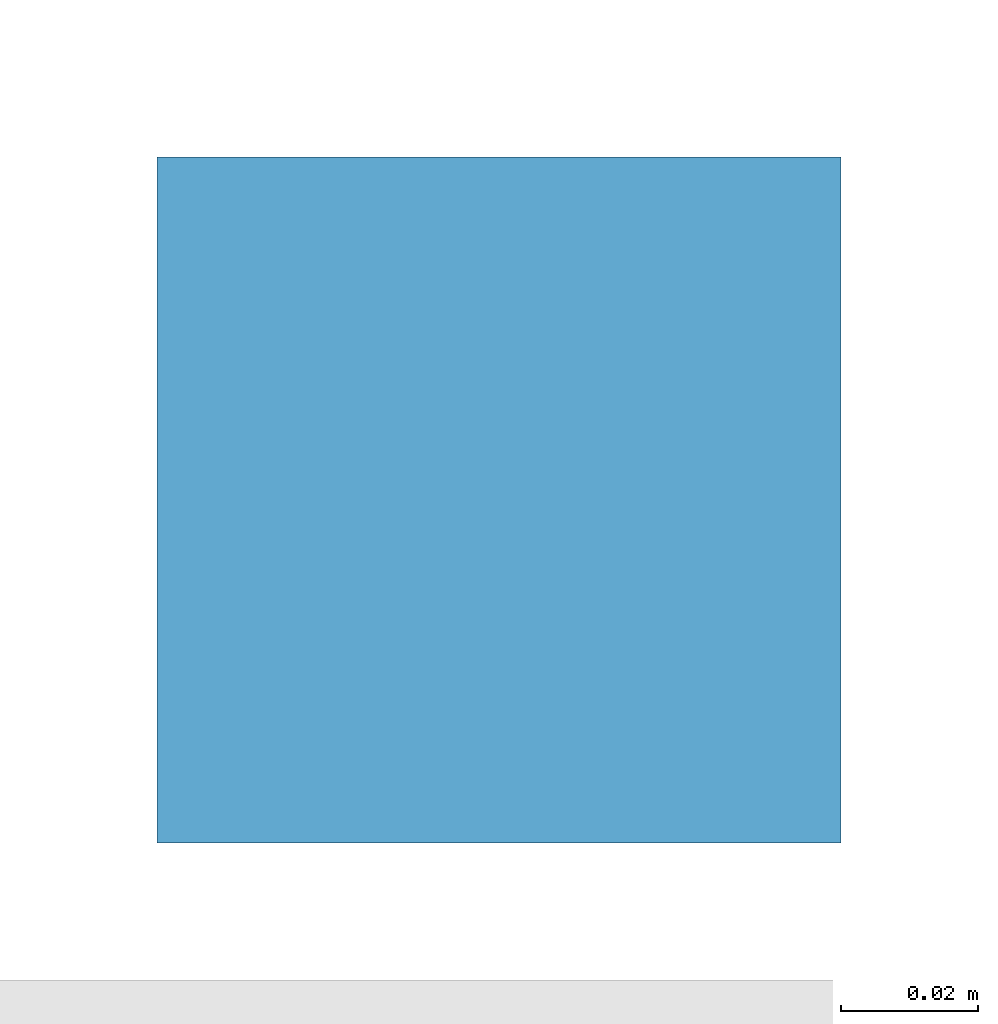
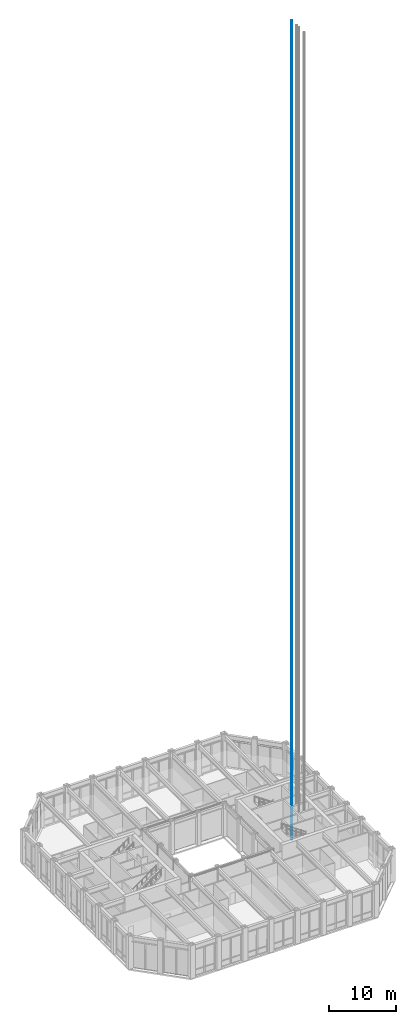
# One storey, part 19 of 22: 1 discrete accessory.
"""IFC4 building model written with IfcOpenShell, lengths in metres."""

import ifcopenshell
import ifcopenshell.guid

model = None  # the IFC model being written
_history = None  # IfcOwnerHistory: only IFC2X3 demands one
_inside = {}  # id of a spatial element -> (the spatial element, [elements in it])
_under = {}  # id of a project, library or spatial element -> (it, [spatial elements below it])
_declared = {}  # id of a project -> (the project, [libraries it declares])
_typed = {}  # id of a type object -> (the type object, [elements of that type])
_made_of = {}  # id of a material, layer set ... -> (it, [elements and type objects made of it])


def new_model(schema):
    """Start an empty IFC model of exactly this schema.

    Asked for "IFC4X3", IfcOpenShell would pick the latest addendum, in which some entities
    have other attributes; the version numbers below select the first issue.
    IFC2X3 requires an IfcOwnerHistory on every rooted entity: one is made here for all.
    """
    global model, _history
    if schema == "IFC4X3":
        model = ifcopenshell.file(schema_version=(4, 3, 0, 0))
    else:
        model = ifcopenshell.file(schema=schema)
    _inside.clear()
    _under.clear()
    _declared.clear()
    _typed.clear()
    _made_of.clear()
    _history = None
    if model.schema == "IFC2X3":
        org = make("IfcOrganization", Name="unknown")
        user = make(
            "IfcPersonAndOrganization",
            ThePerson=make("IfcPerson", FamilyName="unknown"),
            TheOrganization=org,
        )
        app = make(
            "IfcApplication",
            ApplicationDeveloper=org,
            Version="unknown",
            ApplicationFullName="unknown",
            ApplicationIdentifier="unknown",
        )
        _history = make(
            "IfcOwnerHistory",
            OwningUser=user,
            OwningApplication=app,
            ChangeAction="ADDED",
            CreationDate=0,
        )
    return model


def make(cls, **values):
    """One entity of the class cls with the attributes given. An attribute that is None is left unset."""
    return model.create_entity(
        cls, **{name: value for name, value in values.items() if value is not None}
    )


def rooted(cls, **values):
    """An entity with a GlobalId (a new one), such as an element, a storey or a relation."""
    return make(cls, GlobalId=ifcopenshell.guid.new(), OwnerHistory=_history, **values)


def si_unit(unit_type, name, prefix=None):
    """IfcSIUnit, for example si_unit("LENGTHUNIT", "METRE", prefix="MILLI")."""
    return make("IfcSIUnit", UnitType=unit_type, Prefix=prefix, Name=name)


def assignment(units):
    """IfcUnitAssignment: the units of a project."""
    return None if units is None else make("IfcUnitAssignment", Units=units)


def point(xyz):
    """IfcCartesianPoint."""
    return None if xyz is None else make("IfcCartesianPoint", Coordinates=xyz)


def direction(xyz):
    """IfcDirection."""
    return None if xyz is None else make("IfcDirection", DirectionRatios=xyz)


def frame(location, z_axis=None, x_axis=None):
    """IfcAxis2Placement3D, a coordinate frame: its origin and axes. An axis left out is left unset."""
    return make(
        "IfcAxis2Placement3D",
        Location=point(location),
        Axis=direction(z_axis),
        RefDirection=direction(x_axis),
    )


def origin():
    """The frame at (0, 0, 0) with its axes left unset."""
    return frame((0.0, 0.0, 0.0))


def place(relative_to, where):
    """IfcLocalPlacement: puts the frame where relative to a parent placement (None: the world)."""
    return make(
        "IfcLocalPlacement", PlacementRelTo=relative_to, RelativePlacement=where
    )


def context(
    kind, dimensions, precision=None, world=None, true_north=None, identifier=None
):
    """IfcGeometricRepresentationContext, for example the 3D "Model" context."""
    return make(
        "IfcGeometricRepresentationContext",
        ContextIdentifier=identifier,
        ContextType=kind,
        CoordinateSpaceDimension=dimensions,
        Precision=precision,
        WorldCoordinateSystem=world,
        TrueNorth=true_north,
    )


def subcontext(parent, identifier, kind, view, scale=None):
    """IfcGeometricRepresentationSubContext, for example "Body" below "Model"."""
    return make(
        "IfcGeometricRepresentationSubContext",
        ContextIdentifier=identifier,
        ContextType=kind,
        ParentContext=parent,
        TargetScale=scale,
        TargetView=view,
    )


def project(units=None, contexts=None):
    """IfcProject with its units and contexts."""
    return rooted(
        "IfcProject",
        Name="project",
        RepresentationContexts=contexts,
        UnitsInContext=assignment(units),
    )


def spatial(cls, under=None, at=None, **own):
    """A site, building, storey or space (cls), placed at a placement, below another one or the project."""
    s = rooted(cls, ObjectPlacement=at, **own)
    if under is not None:
        _under.setdefault(under.id(), (under, []))[1].append(s)
    return s


def polyline(points):
    """IfcPolyline through the points."""
    return make("IfcPolyline", Points=[point(p) for p in points])


def outline(outer, holes=None, kind="AREA"):
    """IfcArbitraryClosedProfileDef: a profile drawn as a closed curve; with holes, ...WithVoids."""
    if holes is None:
        return make("IfcArbitraryClosedProfileDef", ProfileType=kind, OuterCurve=outer)
    return make(
        "IfcArbitraryProfileDefWithVoids",
        ProfileType=kind,
        OuterCurve=outer,
        InnerCurves=holes,
    )


def extrude(swept, where, along, depth):
    """IfcExtrudedAreaSolid: the profile swept, set in the frame where, extruded along a direction by depth."""
    return make(
        "IfcExtrudedAreaSolid",
        SweptArea=swept,
        Position=where,
        ExtrudedDirection=direction(along),
        Depth=depth,
    )


def shape(context_of_items, identifier, shape_type, items):
    """IfcShapeRepresentation: the items that make up one representation, for example the "Body"."""
    return make(
        "IfcShapeRepresentation",
        ContextOfItems=context_of_items,
        RepresentationIdentifier=identifier,
        RepresentationType=shape_type,
        Items=items,
    )


def made_of(thing, what):
    """Note that an element or type object is made of a material, layer set ...; save() writes the relation."""
    if what is not None:
        _made_of.setdefault(what.id(), (what, []))[1].append(thing)
    return thing


def element(
    cls,
    number,
    at=None,
    inside=None,
    cuts=None,
    type_object=None,
    material=None,
    context=None,
    identifier="Body",
    shape_type=None,
    held_by="IfcProductDefinitionShape",
    body=None,
    shapes=None,
    **own,
):
    """One element of the class cls, such as IfcWall. Its Tag is "e" and its number.

    at: its placement. inside: the storey or other place that contains it. cuts: it is an
    opening in that element (IfcRelVoidsElement). A single representation is given by context,
    identifier, shape_type and body (its items); several are given by shapes. held_by: the class
    of the entity that holds the representations. save() writes the other relations.
    """
    e = rooted(cls, Tag="e%d" % number, ObjectPlacement=at, **own)
    if body is not None:
        shapes = [shape(context, identifier, shape_type, body)]
    if shapes is not None:
        e.Representation = make(held_by, Representations=shapes)
    if inside is not None:
        _inside.setdefault(inside.id(), (inside, []))[1].append(e)
    if cuts is not None:
        rooted(
            "IfcRelVoidsElement", RelatingBuildingElement=cuts, RelatedOpeningElement=e
        )
    if type_object is not None:
        _typed.setdefault(type_object.id(), (type_object, []))[1].append(e)
    return made_of(e, material)


def aggregate(whole, parts):
    """IfcRelAggregates: a whole, such as a stair, and the parts it consists of."""
    return rooted("IfcRelAggregates", RelatingObject=whole, RelatedObjects=parts)


def save(model, path):
    """Write the relations noted so far, then the file.

    IfcRelAggregates (storeys below a building ...), IfcRelContainedInSpatialStructure (elements
    in a storey), IfcRelDefinesByType, IfcRelAssociatesMaterial and IfcRelDeclares: one each for
    every whole, place, type object, material and project.
    """
    for whole, parts in _under.values():
        aggregate(whole, parts)
    for where, things in _inside.values():
        rooted(
            "IfcRelContainedInSpatialStructure",
            RelatedElements=things,
            RelatingStructure=where,
        )
    for kind, things in _typed.values():
        rooted("IfcRelDefinesByType", RelatedObjects=things, RelatingType=kind)
    for what, things in _made_of.values():
        rooted("IfcRelAssociatesMaterial", RelatedObjects=things, RelatingMaterial=what)
    for by, libraries in _declared.values():
        rooted("IfcRelDeclares", RelatingContext=by, RelatedDefinitions=libraries)
    model.write(path)


model = new_model("IFC4")

# Units and contexts
model_context = context("Model", 3, precision=1e-05, world=origin(), true_north=direction((0.0, 1.0)))
body_context = subcontext(model_context, "Body", "Model", "MODEL_VIEW")
ifc_project = project(units=[si_unit("LENGTHUNIT", "METRE"), si_unit("AREAUNIT", "SQUARE_METRE"), si_unit("VOLUMEUNIT", "CUBIC_METRE"), si_unit("PLANEANGLEUNIT", "RADIAN"), si_unit("MASSUNIT", "GRAM", prefix="KILO")], contexts=[model_context])

# Site, building, storey
site_placement = place(None, origin())
site = spatial("IfcSite", under=ifc_project, at=site_placement, CompositionType="ELEMENT")
building_placement = place(site_placement, origin())
building = spatial("IfcBuilding", under=site, at=building_placement, Name="Msasa Ring Tower", CompositionType="ELEMENT")
storey_placement = place(building_placement, frame((0.0, 0.0, 112.39990234375)))
storey = spatial("IfcBuildingStorey", under=building, at=storey_placement, Name="L29", CompositionType="ELEMENT", Elevation=112.39990234375)

# Discrete accessory
discrete_accessory_placement = place(storey_placement, frame((0.0, 0.0, -1.5)))
element("IfcDiscreteAccessory", 1, at=discrete_accessory_placement, inside=storey, Name="Lift guide rail 2 PL-H2", ObjectType="LIFT GUIDE RAIL", PredefinedType="USERDEFINED", context=body_context, shape_type="SweptSolid", body=[
    extrude(outline(polyline([(15.97509765625, 2.77001953125), (16.074951171875, 2.77001953125), (16.074951171875, 2.8701171875), (15.97509765625, 2.8701171875), (15.97509765625, 2.77001953125)])), origin(), (0.0, 0.0, 1.0), 148.60009765625),
])

save(model, "model.ifc")
